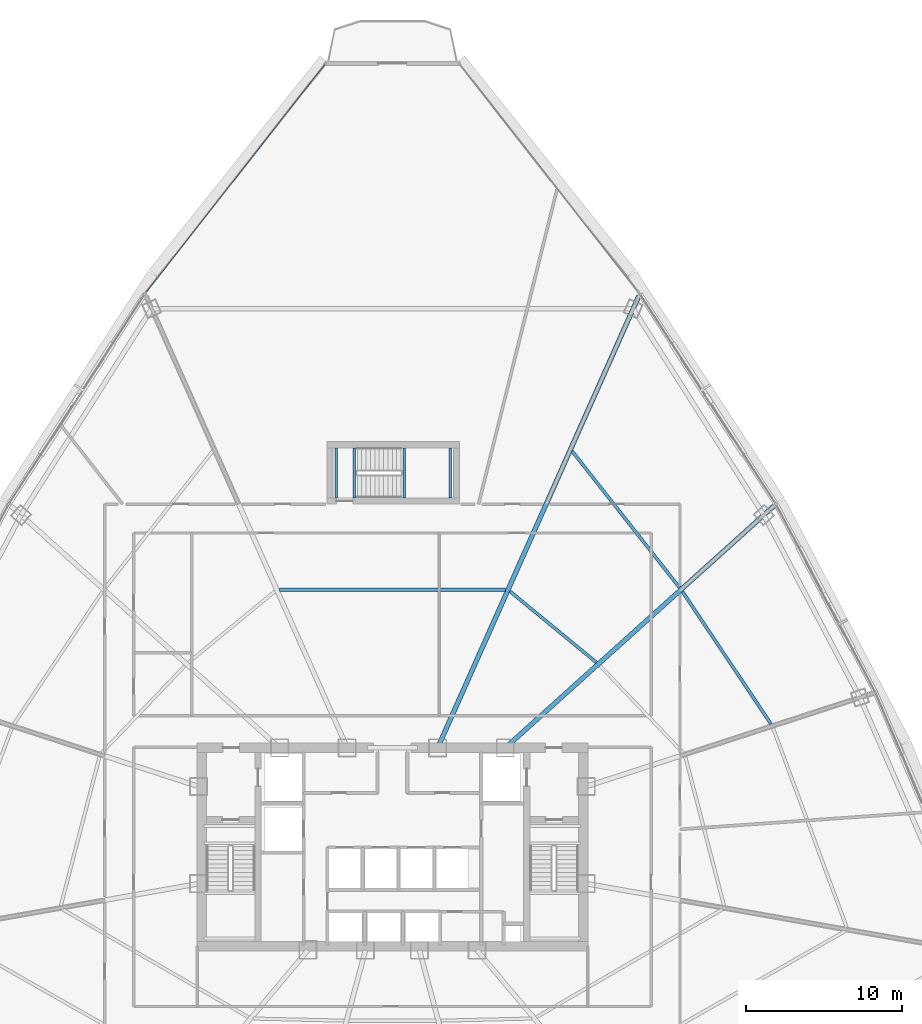
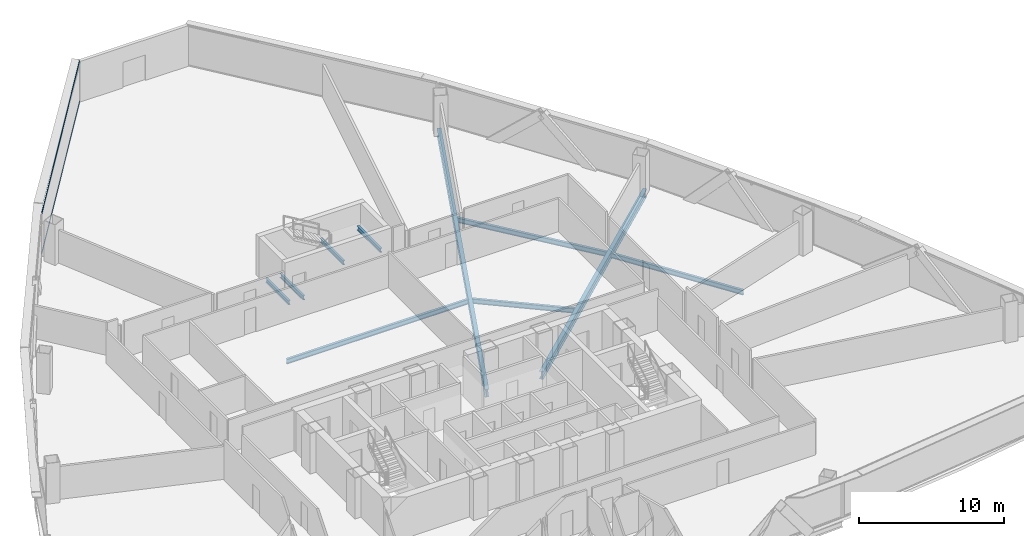
# One storey, part 19 of 39: 10 beams, 2 members, 1 element without a shape of its own.
"""IFC4 building model written with IfcOpenShell, lengths in metres."""

import ifcopenshell
import ifcopenshell.guid

model = None  # the IFC model being written
_history = None  # IfcOwnerHistory: only IFC2X3 demands one
_inside = {}  # id of a spatial element -> (the spatial element, [elements in it])
_under = {}  # id of a project, library or spatial element -> (it, [spatial elements below it])
_declared = {}  # id of a project -> (the project, [libraries it declares])
_typed = {}  # id of a type object -> (the type object, [elements of that type])
_made_of = {}  # id of a material, layer set ... -> (it, [elements and type objects made of it])


def new_model(schema):
    """Start an empty IFC model of exactly this schema.

    Asked for "IFC4X3", IfcOpenShell would pick the latest addendum, in which some entities
    have other attributes; the version numbers below select the first issue.
    IFC2X3 requires an IfcOwnerHistory on every rooted entity: one is made here for all.
    """
    global model, _history
    if schema == "IFC4X3":
        model = ifcopenshell.file(schema_version=(4, 3, 0, 0))
    else:
        model = ifcopenshell.file(schema=schema)
    _inside.clear()
    _under.clear()
    _declared.clear()
    _typed.clear()
    _made_of.clear()
    _history = None
    if model.schema == "IFC2X3":
        org = make("IfcOrganization", Name="unknown")
        user = make(
            "IfcPersonAndOrganization",
            ThePerson=make("IfcPerson", FamilyName="unknown"),
            TheOrganization=org,
        )
        app = make(
            "IfcApplication",
            ApplicationDeveloper=org,
            Version="unknown",
            ApplicationFullName="unknown",
            ApplicationIdentifier="unknown",
        )
        _history = make(
            "IfcOwnerHistory",
            OwningUser=user,
            OwningApplication=app,
            ChangeAction="ADDED",
            CreationDate=0,
        )
    return model


def make(cls, **values):
    """One entity of the class cls with the attributes given. An attribute that is None is left unset."""
    return model.create_entity(
        cls, **{name: value for name, value in values.items() if value is not None}
    )


def rooted(cls, **values):
    """An entity with a GlobalId (a new one), such as an element, a storey or a relation."""
    return make(cls, GlobalId=ifcopenshell.guid.new(), OwnerHistory=_history, **values)


def si_unit(unit_type, name, prefix=None):
    """IfcSIUnit, for example si_unit("LENGTHUNIT", "METRE", prefix="MILLI")."""
    return make("IfcSIUnit", UnitType=unit_type, Prefix=prefix, Name=name)


def assignment(units):
    """IfcUnitAssignment: the units of a project."""
    return None if units is None else make("IfcUnitAssignment", Units=units)


def point(xyz):
    """IfcCartesianPoint."""
    return None if xyz is None else make("IfcCartesianPoint", Coordinates=xyz)


def direction(xyz):
    """IfcDirection."""
    return None if xyz is None else make("IfcDirection", DirectionRatios=xyz)


def frame(location, z_axis=None, x_axis=None):
    """IfcAxis2Placement3D, a coordinate frame: its origin and axes. An axis left out is left unset."""
    return make(
        "IfcAxis2Placement3D",
        Location=point(location),
        Axis=direction(z_axis),
        RefDirection=direction(x_axis),
    )


def frame_2d(location, x_axis=None):
    """IfcAxis2Placement2D, a coordinate frame in the plane: its origin and x axis."""
    return make(
        "IfcAxis2Placement2D", Location=point(location), RefDirection=direction(x_axis)
    )


def origin():
    """The frame at (0, 0, 0) with its axes left unset."""
    return frame((0.0, 0.0, 0.0))


def origin_2d():
    """The frame at (0, 0) in the plane with its x axis left unset."""
    return frame_2d((0.0, 0.0))


def place(relative_to, where):
    """IfcLocalPlacement: puts the frame where relative to a parent placement (None: the world)."""
    return make(
        "IfcLocalPlacement", PlacementRelTo=relative_to, RelativePlacement=where
    )


def context(
    kind, dimensions, precision=None, world=None, true_north=None, identifier=None
):
    """IfcGeometricRepresentationContext, for example the 3D "Model" context."""
    return make(
        "IfcGeometricRepresentationContext",
        ContextIdentifier=identifier,
        ContextType=kind,
        CoordinateSpaceDimension=dimensions,
        Precision=precision,
        WorldCoordinateSystem=world,
        TrueNorth=true_north,
    )


def subcontext(parent, identifier, kind, view, scale=None):
    """IfcGeometricRepresentationSubContext, for example "Body" below "Model"."""
    return make(
        "IfcGeometricRepresentationSubContext",
        ContextIdentifier=identifier,
        ContextType=kind,
        ParentContext=parent,
        TargetScale=scale,
        TargetView=view,
    )


def project(units=None, contexts=None):
    """IfcProject with its units and contexts."""
    return rooted(
        "IfcProject",
        Name="project",
        RepresentationContexts=contexts,
        UnitsInContext=assignment(units),
    )


def spatial(cls, under=None, at=None, **own):
    """A site, building, storey or space (cls), placed at a placement, below another one or the project."""
    s = rooted(cls, ObjectPlacement=at, **own)
    if under is not None:
        _under.setdefault(under.id(), (under, []))[1].append(s)
    return s


def profile(cls, at=None, kind="AREA", **sizes):
    """A parametric profile (cls). Its sizes go by their IFC names, for example OverallWidth=200.0."""
    return make(cls, ProfileType=kind, Position=at, **sizes)


def hollow_rectangle(**sizes):
    """IfcRectangleHollowProfileDef."""
    return profile("IfcRectangleHollowProfileDef", **sizes)


def i_section(**sizes):
    """IfcIShapeProfileDef."""
    return profile("IfcIShapeProfileDef", **sizes)


def extrude(swept, where, along, depth):
    """IfcExtrudedAreaSolid: the profile swept, set in the frame where, extruded along a direction by depth."""
    return make(
        "IfcExtrudedAreaSolid",
        SweptArea=swept,
        Position=where,
        ExtrudedDirection=direction(along),
        Depth=depth,
    )


def shape(context_of_items, identifier, shape_type, items):
    """IfcShapeRepresentation: the items that make up one representation, for example the "Body"."""
    return make(
        "IfcShapeRepresentation",
        ContextOfItems=context_of_items,
        RepresentationIdentifier=identifier,
        RepresentationType=shape_type,
        Items=items,
    )


def source(mapping_origin, context_of_items, identifier, shape_type, items):
    """IfcRepresentationMap: a shape defined once, which mapped items show again and again."""
    return make(
        "IfcRepresentationMap",
        MappingOrigin=mapping_origin,
        MappedRepresentation=shape(context_of_items, identifier, shape_type, items),
    )


def transform(
    local_origin,
    x_axis=None,
    y_axis=None,
    z_axis=None,
    scale=None,
    scale2=None,
    scale3=None,
    uniform=True,
):
    """IfcCartesianTransformationOperator3D, or its non-uniform kind. x_axis, y_axis, z_axis: its Axis1, 2, 3."""
    if uniform:
        return make(
            "IfcCartesianTransformationOperator3D",
            Axis1=direction(x_axis),
            Axis2=direction(y_axis),
            LocalOrigin=point(local_origin),
            Scale=scale,
            Axis3=direction(z_axis),
        )
    return make(
        "IfcCartesianTransformationOperator3DnonUniform",
        Axis1=direction(x_axis),
        Axis2=direction(y_axis),
        LocalOrigin=point(local_origin),
        Scale=scale,
        Axis3=direction(z_axis),
        Scale2=scale2,
        Scale3=scale3,
    )


def mapped(mapping_source, mapping_target):
    """IfcMappedItem: shows the shape of a source again, moved by a transform."""
    return make(
        "IfcMappedItem", MappingSource=mapping_source, MappingTarget=mapping_target
    )


def material(Name=None, Category=None):
    """IfcMaterial."""
    return make("IfcMaterial", Name=Name, Category=Category)


def layer(
    of_material, thickness, ventilated=None, Name=None, Category=None, Priority=None
):
    """IfcMaterialLayer: one layer of a wall or slab, of a material (None: an air gap)."""
    return make(
        "IfcMaterialLayer",
        Material=of_material,
        LayerThickness=thickness,
        IsVentilated=ventilated,
        Name=Name,
        Category=Category,
        Priority=Priority,
    )


def layer_set(layers, Name=None):
    """IfcMaterialLayerSet."""
    return make("IfcMaterialLayerSet", MaterialLayers=layers, LayerSetName=Name)


def material_profile(
    of_material, cross_section, Name=None, Category=None, Priority=None
):
    """IfcMaterialProfile: a cross section and its material."""
    return make(
        "IfcMaterialProfile",
        Name=Name,
        Material=of_material,
        Profile=cross_section,
        Priority=Priority,
        Category=Category,
    )


def profile_set(profiles, Name=None, composite=None):
    """IfcMaterialProfileSet."""
    return make(
        "IfcMaterialProfileSet",
        Name=Name,
        MaterialProfiles=profiles,
        CompositeProfile=composite,
    )


def made_of(thing, what):
    """Note that an element or type object is made of a material, layer set ...; save() writes the relation."""
    if what is not None:
        _made_of.setdefault(what.id(), (what, []))[1].append(thing)
    return thing


def type_object(cls, material=None, **own):
    """A type object (cls), such as IfcWallType, which elements share."""
    return made_of(rooted(cls, **own), material)


def element(
    cls,
    number,
    at=None,
    inside=None,
    cuts=None,
    type_object=None,
    material=None,
    context=None,
    identifier="Body",
    shape_type=None,
    held_by="IfcProductDefinitionShape",
    body=None,
    shapes=None,
    **own,
):
    """One element of the class cls, such as IfcWall. Its Tag is "e" and its number.

    at: its placement. inside: the storey or other place that contains it. cuts: it is an
    opening in that element (IfcRelVoidsElement). A single representation is given by context,
    identifier, shape_type and body (its items); several are given by shapes. held_by: the class
    of the entity that holds the representations. save() writes the other relations.
    """
    e = rooted(cls, Tag="e%d" % number, ObjectPlacement=at, **own)
    if body is not None:
        shapes = [shape(context, identifier, shape_type, body)]
    if shapes is not None:
        e.Representation = make(held_by, Representations=shapes)
    if inside is not None:
        _inside.setdefault(inside.id(), (inside, []))[1].append(e)
    if cuts is not None:
        rooted(
            "IfcRelVoidsElement", RelatingBuildingElement=cuts, RelatedOpeningElement=e
        )
    if type_object is not None:
        _typed.setdefault(type_object.id(), (type_object, []))[1].append(e)
    return made_of(e, material)


def aggregate(whole, parts):
    """IfcRelAggregates: a whole, such as a stair, and the parts it consists of."""
    return rooted("IfcRelAggregates", RelatingObject=whole, RelatedObjects=parts)


def save(model, path):
    """Write the relations noted so far, then the file.

    IfcRelAggregates (storeys below a building ...), IfcRelContainedInSpatialStructure (elements
    in a storey), IfcRelDefinesByType, IfcRelAssociatesMaterial and IfcRelDeclares: one each for
    every whole, place, type object, material and project.
    """
    for whole, parts in _under.values():
        aggregate(whole, parts)
    for where, things in _inside.values():
        rooted(
            "IfcRelContainedInSpatialStructure",
            RelatedElements=things,
            RelatingStructure=where,
        )
    for kind, things in _typed.values():
        rooted("IfcRelDefinesByType", RelatedObjects=things, RelatingType=kind)
    for what, things in _made_of.values():
        rooted("IfcRelAssociatesMaterial", RelatedObjects=things, RelatingMaterial=what)
    for by, libraries in _declared.values():
        rooted("IfcRelDeclares", RelatingContext=by, RelatedDefinitions=libraries)
    model.write(path)


model = new_model("IFC4")

# Units and contexts
model_context = context("Model", 3, precision=1e-05, world=origin(), true_north=direction((0.0, 1.0)))
body_context = subcontext(model_context, "Body", "Model", "MODEL_VIEW")
ifc_project = project(units=[si_unit("LENGTHUNIT", "METRE"), si_unit("AREAUNIT", "SQUARE_METRE"), si_unit("VOLUMEUNIT", "CUBIC_METRE"), si_unit("PLANEANGLEUNIT", "RADIAN"), si_unit("MASSUNIT", "GRAM", prefix="KILO"), si_unit("THERMODYNAMICTEMPERATUREUNIT", "KELVIN"), si_unit("POWERUNIT", "WATT")], contexts=[model_context])

# Site, building, storey
site_placement = place(None, origin())
site = spatial("IfcSite", under=ifc_project, at=site_placement, CompositionType="ELEMENT")
building_placement = place(site_placement, origin())
building = spatial("IfcBuilding", under=site, at=building_placement, Name="Yunzhuo Pagoda Commons", CompositionType="ELEMENT")
storey_placement = place(building_placement, frame((0.0, 0.0, 162.949951171875)))
storey = spatial("IfcBuildingStorey", under=building, at=storey_placement, Name="L41", CompositionType="ELEMENT", Elevation=162.949951171875)

# Beams
ifc_material_1 = material(Name="Structural steel Q355B", Category="steel")
ifc_material_profile_1 = material_profile(ifc_material_1, i_section(OverallWidth=0.175048828125, OverallDepth=0.35009765625, WebThickness=0.007080078125, FlangeThickness=0.010986328125, at=origin_2d()), Name="Structural steel Q355B")
ifc_profile_set_1 = profile_set([ifc_material_profile_1], Name="Structural steel Q355B")
beam_type_1 = type_object("IfcBeamType", Name="B-JS2 Joist HN 350x175x7x11", PredefinedType="JOIST", material=ifc_profile_set_1)
shared_shape_1 = source(origin(), body_context, "Body", "SweptSolid", [
    extrude(i_section(OverallWidth=0.175048828125, OverallDepth=0.35009765625, WebThickness=0.007080078125, FlangeThickness=0.010986328125, at=origin_2d()), origin(), (0.0, 0.0, 1.0), 3.199951171875),
])
for number, where, z_axis, x_axis, name in (
    (1, (48.75, 56.199951171875, 1.465087890625), (0.0, 1.0, 0.0), (-1.0, 0.0, 0.0), "L41 ST3 landing support beam 47A"),
    (2, (51.699951171875, 56.199951171875, 1.465087890625), (0.0, 1.0, 0.0), (-1.0, 0.0, 0.0), "L41 ST3 landing support beam 47B"),
    (3, (44.39990234375, 56.199951171875, -0.375), (0.0, 1.0, 0.0), (-1.0, 0.0, 0.0), "L41 ST3 landing support beam 115A"),
    (4, (45.550048828125, 56.199951171875, -0.375), (0.0, 1.0, 0.0), (-1.0, 0.0, 0.0), "L41 ST3 landing support beam 115B"),
):
    element("IfcBeam", number, at=place(storey_placement, frame(where, z_axis=z_axis, x_axis=x_axis)), inside=storey, type_object=beam_type_1, Name=name, PredefinedType="JOIST", context=body_context, shape_type="MappedRepresentation", body=[
        mapped(shared_shape_1, transform((0.0, 0.0, 0.0), scale=1.0)),
    ])
ifc_material_profile_2 = material_profile(ifc_material_1, i_section(OverallWidth=0.199951171875, OverallDepth=0.39990234375, WebThickness=0.008056640625, FlangeThickness=0.012939453125, at=origin_2d()), Name="Structural steel Q355B")
ifc_profile_set_2 = profile_set([ifc_material_profile_2], Name="Structural steel Q355B")
beam_type_2 = type_object("IfcBeamType", Name="B-JS1 Joist HN 400x200x8x13", PredefinedType="JOIST", material=ifc_profile_set_2)
shared_shape_2 = source(origin(), body_context, "Body", "SweptSolid", [
    extrude(i_section(OverallWidth=0.199951171875, OverallDepth=0.39990234375, WebThickness=0.008056640625, FlangeThickness=0.012939453125, at=origin_2d()), origin(), (0.0, 0.0, 1.0), 10.186767578125),
])
beam_1_placement = place(storey_placement, frame((72.221923828125, 41.731201171875, -0.4599609375), z_axis=(-0.555872145938, 0.831267801235, 0.0), x_axis=(-0.831267801235, -0.555872145938, 0.0)))
element("IfcBeam", 5, at=beam_1_placement, inside=storey, type_object=beam_type_2, Name="L41 composite ring joist 2.6", PredefinedType="JOIST", context=body_context, shape_type="MappedRepresentation", body=[
    mapped(shared_shape_2, transform((0.0, 0.0, 0.0), scale=1.0)),
])
shared_shape_3 = source(origin(), body_context, "Body", "SweptSolid", [
    extrude(i_section(OverallWidth=0.199951171875, OverallDepth=0.39990234375, WebThickness=0.008056640625, FlangeThickness=0.012939453125, at=origin_2d()), origin(), (0.0, 0.0, 1.0), 7.163818359375),
])
beam_2_placement = place(storey_placement, frame((61.05322265625, 45.664794921875, -0.4599609375), z_axis=(-0.772234119563, 0.635338071095, 0.0), x_axis=(-0.635338071095, -0.772234119563, 0.0)))
element("IfcBeam", 6, at=beam_2_placement, inside=storey, type_object=beam_type_2, Name="L41 composite ring joist 1.7", PredefinedType="JOIST", context=body_context, shape_type="MappedRepresentation", body=[
    mapped(shared_shape_3, transform((0.0, 0.0, 0.0), scale=1.0)),
])
shared_shape_4 = source(origin(), body_context, "Body", "SweptSolid", [
    extrude(i_section(OverallWidth=0.199951171875, OverallDepth=0.39990234375, WebThickness=0.008056640625, FlangeThickness=0.012939453125, at=origin_2d()), origin(), (0.0, 0.0, 1.0), 11.109375),
])
beam_3_placement = place(storey_placement, frame((66.372802734375, 50.456298828125, -0.4599609375), z_axis=(-0.618600596935, 0.785705607382, 0.0), x_axis=(-0.785705607382, -0.618600596935, 0.0)))
element("IfcBeam", 7, at=beam_3_placement, inside=storey, type_object=beam_type_2, Name="L41 composite ring joist 2.7", PredefinedType="JOIST", context=body_context, shape_type="MappedRepresentation", body=[
    mapped(shared_shape_4, transform((0.0, 0.0, 0.0), scale=1.0)),
])
shared_shape_5 = source(origin(), body_context, "Body", "SweptSolid", [
    extrude(i_section(OverallWidth=0.199951171875, OverallDepth=0.39990234375, WebThickness=0.008056640625, FlangeThickness=0.012939453125, at=origin_2d()), origin(), (0.0, 0.0, 1.0), 14.47900390625),
])
beam_4_placement = place(storey_placement, frame((55.239501953125, 50.317138671875, -0.4599609375), z_axis=(-1.0, 0.0, 0.0), x_axis=(0.0, -1.0, 0.0)))
element("IfcBeam", 8, at=beam_4_placement, inside=storey, type_object=beam_type_2, Name="L41 composite ring joist 1.8", PredefinedType="JOIST", context=body_context, shape_type="MappedRepresentation", body=[
    mapped(shared_shape_5, transform((0.0, 0.0, 0.0), scale=1.0)),
])
ifc_material_profile_3 = material_profile(ifc_material_1, i_section(OverallWidth=0.300048828125, OverallDepth=0.64990234375, WebThickness=0.012939453125, FlangeThickness=0.02197265625, at=origin_2d()), Name="Structural steel Q355B")
ifc_profile_set_3 = profile_set([ifc_material_profile_3], Name="Structural steel Q355B")
beam_type_3 = type_object("IfcBeamType", Name="B-RG2 Beam HN 650x300x13x22", PredefinedType="BEAM", material=ifc_profile_set_3)
shared_shape_6 = source(origin(), body_context, "Body", "SweptSolid", [
    extrude(i_section(OverallWidth=0.300048828125, OverallDepth=0.64990234375, WebThickness=0.012939453125, FlangeThickness=0.02197265625, at=origin_2d()), origin(), (0.0, 0.0, 1.0), 23.161376953125),
])
beam_5_placement = place(storey_placement, frame((72.43115234375, 55.697998046875, -0.5849609375), z_axis=(-0.743141604671, -0.669134183409, 0.0), x_axis=(0.669134183409, -0.743141604671, 0.0)))
element("IfcBeam", 9, at=beam_5_placement, inside=storey, type_object=beam_type_3, Name="L41 radial floor girder F2C3", PredefinedType="BEAM", context=body_context, shape_type="MappedRepresentation", body=[
    mapped(shared_shape_6, transform((0.0, 0.0, 0.0), scale=1.0)),
])
shared_shape_7 = source(origin(), body_context, "Body", "SweptSolid", [
    extrude(i_section(OverallWidth=0.300048828125, OverallDepth=0.64990234375, WebThickness=0.012939453125, FlangeThickness=0.02197265625, at=origin_2d()), origin(), (0.0, 0.0, 1.0), 31.6572265625),
])
beam_6_placement = place(storey_placement, frame((63.770263671875, 69.120361328125, -0.5849609375), z_axis=(-0.406737289237, -0.913545169953, 0.0), x_axis=(0.913545169953, -0.406737289237, 0.0)))
element("IfcBeam", 10, at=beam_6_placement, inside=storey, type_object=beam_type_3, Name="L41 radial floor girder F2C4", PredefinedType="BEAM", context=body_context, shape_type="MappedRepresentation", body=[
    mapped(shared_shape_7, transform((0.0, 0.0, 0.0), scale=1.0)),
])

# Curtain wall, members
ifc_material_2 = material(Name="Anodized aluminium 6063-T6", Category="aluminium")
ifc_layer = layer(ifc_material_2, 0.14990234375)
ifc_layer_set = layer_set([ifc_layer], Name="Anodized aluminium 6063-T6")
curtain_wall_type = type_object("IfcCurtainWallType", Name="CW-MID Mid-Zone Ribbon Curtain Wall", PredefinedType="NOTDEFINED", material=ifc_layer_set)
curtain_wall_placement = place(storey_placement, origin())
curtain_wall = element("IfcCurtainWall", 11, at=curtain_wall_placement, inside=storey, type_object=curtain_wall_type, Name="L41 curtain wall CW-L41-F3B1", PredefinedType="NOTDEFINED")
ifc_material_profile_4 = material_profile(ifc_material_2, hollow_rectangle(XDim=0.054931640625, YDim=0.1298828125, WallThickness=0.00341796875, at=origin_2d()), Name="Anodized aluminium 6063-T6")
ifc_profile_set_4 = profile_set([ifc_material_profile_4], Name="Anodized aluminium 6063-T6")
member_type = type_object("IfcMemberType", Name="CW-MID-T Transom RHS 130x55x3.5", PredefinedType="USERDEFINED", material=ifc_profile_set_4)
shared_shape_8 = source(origin(), body_context, "Body", "SweptSolid", [
    extrude(hollow_rectangle(XDim=0.054931640625, YDim=0.1298828125, WallThickness=0.00341796875, at=origin_2d()), origin(), (0.0, 0.0, 1.0), 18.532470703125),
])
member_1_placement = place(storey_placement, frame((43.687255859375, 83.95068359375, 0.027587890625), z_axis=(-0.617131299071, -0.786860190699, 0.0), x_axis=(0.786860190699, -0.617131299071, 0.0)))
member_1 = element("IfcMember", 12, at=member_1_placement, type_object=member_type, Name="CW transom 1.1", ObjectType="TRANSOM", PredefinedType="USERDEFINED", context=body_context, shape_type="MappedRepresentation", body=[
    mapped(shared_shape_8, transform((0.0, 0.0, 0.0), scale=1.0)),
])
member_2_placement = place(storey_placement, frame((43.687255859375, 83.95068359375, 3.392578125), z_axis=(-0.617131299071, -0.786860190699, 0.0), x_axis=(0.786860190699, -0.617131299071, 0.0)))
member_2 = element("IfcMember", 13, at=member_2_placement, type_object=member_type, Name="CW transom 1.2", ObjectType="TRANSOM", PredefinedType="USERDEFINED", context=body_context, shape_type="MappedRepresentation", body=[
    mapped(shared_shape_8, transform((0.0, 0.0, 0.0), scale=1.0)),
])
aggregate(curtain_wall, [member_1, member_2])

save(model, "model.ifc")
